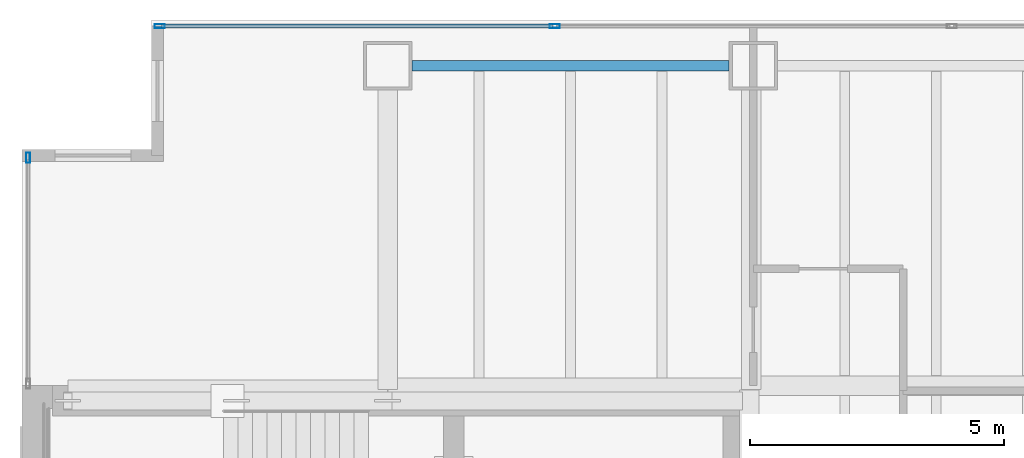
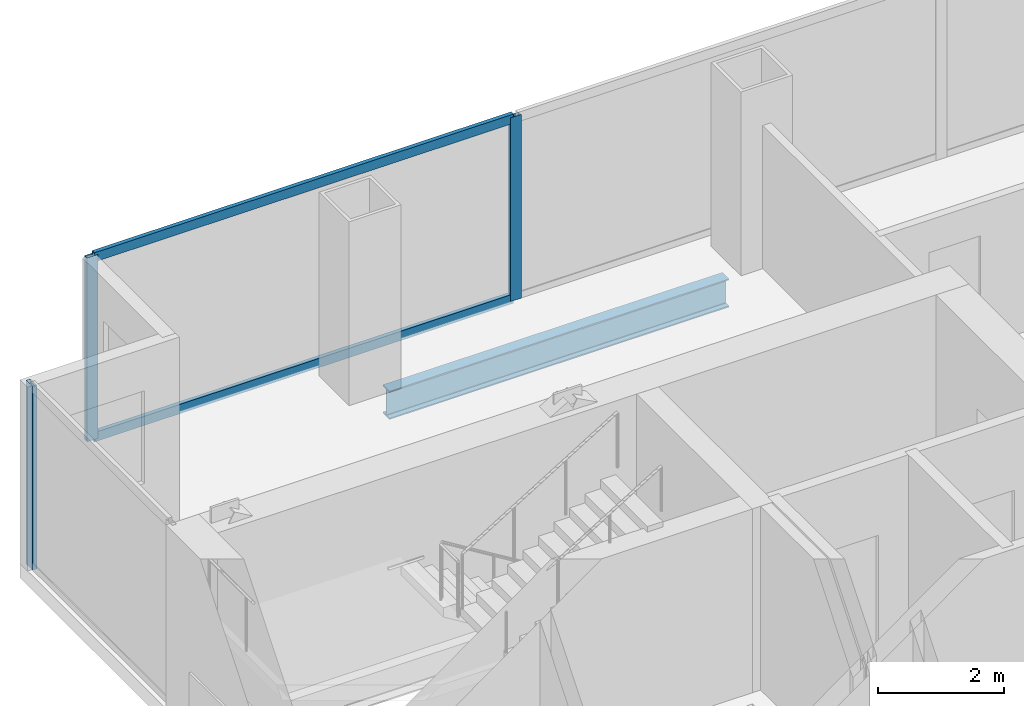
# One storey, part 16 of 23: 5 members, 1 beam, 2 elements without a shape of their own.
"""IFC4 building model written with IfcOpenShell, lengths in metres."""

from ifc_helpers import new_model, si_unit, direction, frame, origin, origin_2d, place, context, subcontext, project, spatial, hollow_rectangle, i_section, extrude, material, material_profile, profile_set, type_object, element, aggregate, save


model = new_model("IFC4")

# Units and contexts
model_context = context("Model", 3, precision=1e-05, world=origin(), true_north=direction((0.0, 1.0)))
body_context = subcontext(model_context, "Body", "Model", "MODEL_VIEW")
ifc_project = project(units=[si_unit("LENGTHUNIT", "METRE"), si_unit("AREAUNIT", "SQUARE_METRE"), si_unit("VOLUMEUNIT", "CUBIC_METRE"), si_unit("PLANEANGLEUNIT", "RADIAN"), si_unit("MASSUNIT", "GRAM", prefix="KILO")], contexts=[model_context])

# Site, building, storey
site_placement = place(None, origin())
site = spatial("IfcSite", under=ifc_project, at=site_placement, CompositionType="ELEMENT")
building_placement = place(site_placement, origin())
building = spatial("IfcBuilding", under=site, at=building_placement, Name="Cobrela Telecom Tower", CompositionType="ELEMENT")
storey_placement = place(building_placement, frame((0.0, 0.0, 81.199951171875)))
storey = spatial("IfcBuildingStorey", under=building, at=storey_placement, Name="L20", CompositionType="ELEMENT", Elevation=81.199951171875)

# Beam
ifc_material_1 = material(Name="Steel ASTM A992 Grade 50", Category="steel")
ifc_material_profile_1 = material_profile(ifc_material_1, i_section(OverallWidth=0.212890625, OverallDepth=0.549072265625, WebThickness=0.0146484375, FlangeThickness=0.023681640625, FilletRadius=0.013916015625, at=origin_2d()), Name="W21X93")
ifc_profile_set_1 = profile_set([ifc_material_profile_1], Name="Steel ASTM A992 Grade 50")
beam_type = type_object("IfcBeamType", Name="BM-SPAND-03", PredefinedType="SPANDREL", material=ifc_profile_set_1)
beam_placement = place(storey_placement, frame((7.679931640625, 42.300048828125, -0.554443359375), z_axis=(1.0, 0.0, 0.0), x_axis=(0.0, 1.0, 0.0)))
element("IfcBeam", 1, at=beam_placement, inside=storey, type_object=beam_type, Name="L20 Perimeter Spandrel X29", PredefinedType="SPANDREL", context=body_context, shape_type="SweptSolid", body=[
    extrude(i_section(OverallWidth=0.212890625, OverallDepth=0.549072265625, WebThickness=0.0146484375, FlangeThickness=0.023681640625, FilletRadius=0.013916015625, at=origin_2d()), origin(), (0.0, 0.0, 1.0), 6.239990234375),
])

# Curtain wall, member
ifc_material_2 = material(Name="Anodized Bronze Aluminium 6063-T6", Category="aluminium")
curtain_wall_type = type_object("IfcCurtainWallType", Name="CW-SYS-DATA", PredefinedType="USERDEFINED", material=ifc_material_2)
curtain_wall_1_placement = place(storey_placement, origin())
curtain_wall_1 = element("IfcCurtainWall", 2, at=curtain_wall_1_placement, inside=storey, type_object=curtain_wall_type, Name="L20 Unitised Bronze Curtain Wall 04", ObjectType="UNITISED CURTAIN WALL", PredefinedType="USERDEFINED")
ifc_material_profile_2 = material_profile(ifc_material_2, hollow_rectangle(XDim=0.080078125, YDim=0.199951171875, WallThickness=0.00390625, at=origin_2d()), Name="ALU 80x200x4")
ifc_profile_set_2 = profile_set([ifc_material_profile_2], Name="Anodized Bronze Aluminium 6063-T6")
member_type_1 = type_object("IfcMemberType", Name="CW-SYS-DATA-MUL", PredefinedType="MULLION", material=ifc_profile_set_2)
member_1_placement = place(storey_placement, frame((0.1201171875, 40.489990234375, 0.0), z_axis=(0.0, 0.0, 1.0), x_axis=(-1.0, 0.0, 0.0)))
member_1 = element("IfcMember", 3, at=member_1_placement, type_object=member_type_1, Name="CW-DATA mullion 2", PredefinedType="MULLION", context=body_context, shape_type="SweptSolid", body=[
    extrude(hollow_rectangle(XDim=0.080078125, YDim=0.199951171875, WallThickness=0.00390625, at=origin_2d()), origin(), (0.0, 0.0, 1.0), 3.570068359375),
])
aggregate(curtain_wall_1, [member_1])

# Curtain wall, members
curtain_wall_2_placement = place(storey_placement, origin())
curtain_wall_2 = element("IfcCurtainWall", 4, at=curtain_wall_2_placement, inside=storey, type_object=curtain_wall_type, Name="L20 Unitised Bronze Curtain Wall 07", ObjectType="UNITISED CURTAIN WALL", PredefinedType="USERDEFINED")
member_2_placement = place(storey_placement, frame((2.7099609375, 43.080078125, 0.0), z_axis=(0.0, 0.0, 1.0), x_axis=(0.0, 1.0, 0.0)))
member_2 = element("IfcMember", 5, at=member_2_placement, type_object=member_type_1, Name="CW-DATA mullion 1", PredefinedType="MULLION", context=body_context, shape_type="SweptSolid", body=[
    extrude(hollow_rectangle(XDim=0.080078125, YDim=0.199951171875, WallThickness=0.00390625, at=origin_2d()), origin(), (0.0, 0.0, 1.0), 3.570068359375),
])
member_3_placement = place(storey_placement, frame((10.489990234375, 43.080078125, 0.0), z_axis=(0.0, 0.0, 1.0), x_axis=(0.0, 1.0, 0.0)))
member_3 = element("IfcMember", 6, at=member_3_placement, type_object=member_type_1, Name="CW-DATA mullion 2", PredefinedType="MULLION", context=body_context, shape_type="SweptSolid", body=[
    extrude(hollow_rectangle(XDim=0.080078125, YDim=0.199951171875, WallThickness=0.00390625, at=origin_2d()), origin(), (0.0, 0.0, 1.0), 3.570068359375),
])
ifc_material_profile_3 = material_profile(ifc_material_2, hollow_rectangle(XDim=0.074951171875, YDim=0.179931640625, WallThickness=0.00390625, at=origin_2d()), Name="ALU 75x180x4")
ifc_profile_set_3 = profile_set([ifc_material_profile_3], Name="Anodized Bronze Aluminium 6063-T6")
member_type_2 = type_object("IfcMemberType", Name="CW-SYS-DATA-TRN", PredefinedType="USERDEFINED", material=ifc_profile_set_3)
member_4_placement = place(storey_placement, frame((2.75, 43.080078125, 0.03759765625), z_axis=(1.0, 0.0, 0.0), x_axis=(0.0, 1.0, 0.0)))
member_4 = element("IfcMember", 7, at=member_4_placement, type_object=member_type_2, Name="CW-DATA transom 1.1", ObjectType="TRANSOM", PredefinedType="USERDEFINED", context=body_context, shape_type="SweptSolid", body=[
    extrude(hollow_rectangle(XDim=0.074951171875, YDim=0.179931640625, WallThickness=0.00390625, at=origin_2d()), origin(), (0.0, 0.0, 1.0), 7.699951171875),
])
member_5_placement = place(storey_placement, frame((2.75, 43.080078125, 3.532470703125), z_axis=(1.0, 0.0, 0.0), x_axis=(0.0, 1.0, 0.0)))
member_5 = element("IfcMember", 8, at=member_5_placement, type_object=member_type_2, Name="CW-DATA transom 1.2", ObjectType="TRANSOM", PredefinedType="USERDEFINED", context=body_context, shape_type="SweptSolid", body=[
    extrude(hollow_rectangle(XDim=0.074951171875, YDim=0.179931640625, WallThickness=0.00390625, at=origin_2d()), origin(), (0.0, 0.0, 1.0), 7.699951171875),
])
aggregate(curtain_wall_2, [member_2, member_3, member_4, member_5])

save(model, "model.ifc")
